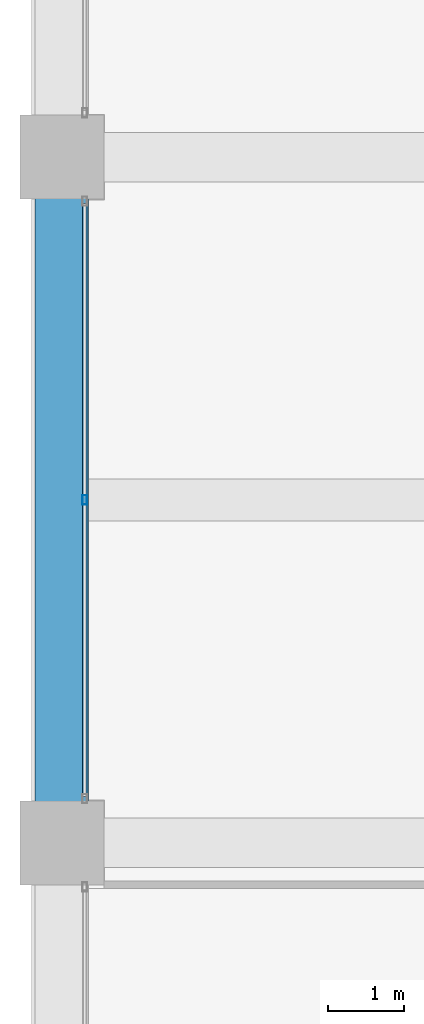
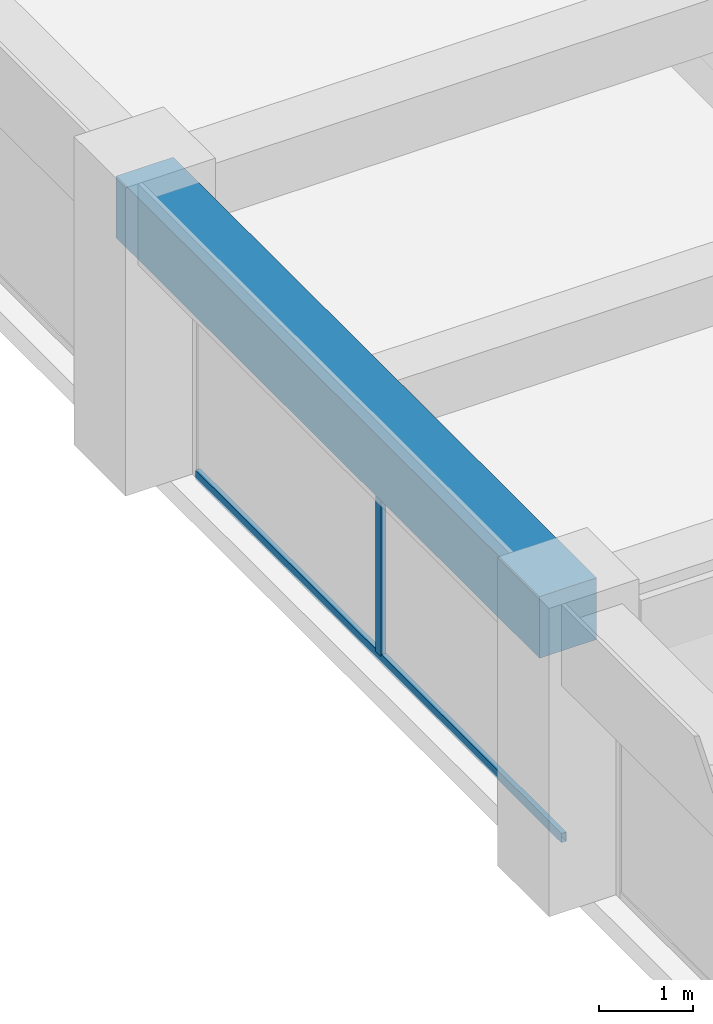
# One storey, part 14 of 44: 2 members, 1 beam, 1 element without a shape of its own.
"""IFC4 building model written with IfcOpenShell, lengths in metres."""

from ifc_helpers import new_model, si_unit, direction, frame, origin, origin_2d, place, context, subcontext, project, spatial, rectangle, hollow_rectangle, extrude, material, material_profile, profile_set, type_object, element, aggregate, save


model = new_model("IFC4")

# Units and contexts
model_context = context("Model", 3, precision=1e-05, world=origin(), true_north=direction((0.0, 1.0)))
body_context = subcontext(model_context, "Body", "Model", "MODEL_VIEW")
ifc_project = project(units=[si_unit("LENGTHUNIT", "METRE"), si_unit("AREAUNIT", "SQUARE_METRE"), si_unit("VOLUMEUNIT", "CUBIC_METRE"), si_unit("PLANEANGLEUNIT", "RADIAN"), si_unit("MASSUNIT", "GRAM", prefix="KILO")], contexts=[model_context])

# Site, building, storey
site_placement = place(None, origin())
site = spatial("IfcSite", under=ifc_project, at=site_placement, CompositionType="ELEMENT")
building_placement = place(site_placement, origin())
building = spatial("IfcBuilding", under=site, at=building_placement, Name="Zorevar Civic Tower", CompositionType="ELEMENT")
storey_placement = place(building_placement, frame((0.0, 0.0, 251.39990234375)))
storey = spatial("IfcBuildingStorey", under=building, at=storey_placement, Name="L61", CompositionType="ELEMENT", Elevation=251.39990234375)

# Curtain wall, members
ifc_material_1 = material(Name="Dark grey solar-control glass in black aluminium frame", Category="aluminium")
curtain_wall_type = type_object("IfcCurtainWallType", Name="Curtain wall CW5 top zone", PredefinedType="NOTDEFINED", material=ifc_material_1)
curtain_wall_placement = place(storey_placement, origin())
curtain_wall = element("IfcCurtainWall", 1, at=curtain_wall_placement, inside=storey, type_object=curtain_wall_type, Name="CW5 L61", PredefinedType="NOTDEFINED")
ifc_material_2 = material(Name="Aluminium, black anodised", Category="aluminium")
ifc_material_profile_1 = material_profile(ifc_material_2, hollow_rectangle(XDim=0.06005859375, YDim=0.1201171875, WallThickness=0.0029296875, at=origin_2d()), Name="AL 120x60x3")
ifc_profile_set_1 = profile_set([ifc_material_profile_1], Name="Aluminium, black anodised")
member_type_1 = type_object("IfcMemberType", Name="CW5 mullion AL 120x60x3", PredefinedType="MULLION", material=ifc_profile_set_1)
member_1_placement = place(storey_placement, frame((9.300048828125, 22.5, 0.06005859375), z_axis=(0.0, 0.0, 1.0), x_axis=(-1.0, 0.0, 0.0)))
member_1 = element("IfcMember", 2, at=member_1_placement, type_object=member_type_1, Name="CW5 mullion 2", PredefinedType="MULLION", context=body_context, shape_type="SweptSolid", body=[
    extrude(hollow_rectangle(XDim=0.06005859375, YDim=0.1201171875, WallThickness=0.0029296875, at=origin_2d()), origin(), (0.0, 0.0, 1.0), 2.89013671875),
])
ifc_material_3 = material(Name="Aluminium, black anodised", Category="aluminium")
ifc_material_profile_2 = material_profile(ifc_material_3, hollow_rectangle(XDim=0.06005859375, YDim=0.1201171875, WallThickness=0.0029296875, at=origin_2d()), Name="AL 120x60x3")
ifc_profile_set_2 = profile_set([ifc_material_profile_2], Name="Aluminium, black anodised")
member_type_2 = type_object("IfcMemberType", Name="CW5 transom AL 120x60x3", PredefinedType="USERDEFINED", material=ifc_profile_set_2)
member_2_placement = place(storey_placement, frame((9.300048828125, 18.610107421875, 0.030029296875), z_axis=(0.0, 1.0, 0.0), x_axis=(-1.0, 0.0, 0.0)))
member_2 = element("IfcMember", 3, at=member_2_placement, type_object=member_type_2, Name="CW5 sill transom", ObjectType="TRANSOM", PredefinedType="USERDEFINED", context=body_context, shape_type="SweptSolid", body=[
    extrude(hollow_rectangle(XDim=0.06005859375, YDim=0.1201171875, WallThickness=0.0029296875, at=origin_2d()), origin(), (0.0, 0.0, 1.0), 7.77978515625),
])
aggregate(curtain_wall, [member_1, member_2])

# Beam
ifc_material_4 = material(Name="Concrete C50/60", Category="concrete")
ifc_material_profile_3 = material_profile(ifc_material_4, rectangle(XDim=0.699951171875, YDim=0.800048828125, at=origin_2d()), Name="RC 700x800")
ifc_profile_set_3 = profile_set([ifc_material_profile_3], Name="Concrete C50/60")
beam_type = type_object("IfcBeamType", Name="Edge beam RC 700x800", PredefinedType="SPANDREL", material=ifc_profile_set_3)
beam_placement = place(storey_placement, frame((9.0, 18.0, 3.35009765625), z_axis=(0.0, 1.0, 0.0), x_axis=(-1.0, 0.0, 0.0)))
element("IfcBeam", 4, at=beam_placement, inside=storey, type_object=beam_type, Name="Edge beam L62", PredefinedType="SPANDREL", context=body_context, shape_type="SweptSolid", body=[
    extrude(rectangle(XDim=0.699951171875, YDim=0.800048828125, at=origin_2d()), origin(), (0.0, 0.0, 1.0), 9.0),
])

save(model, "model.ifc")
